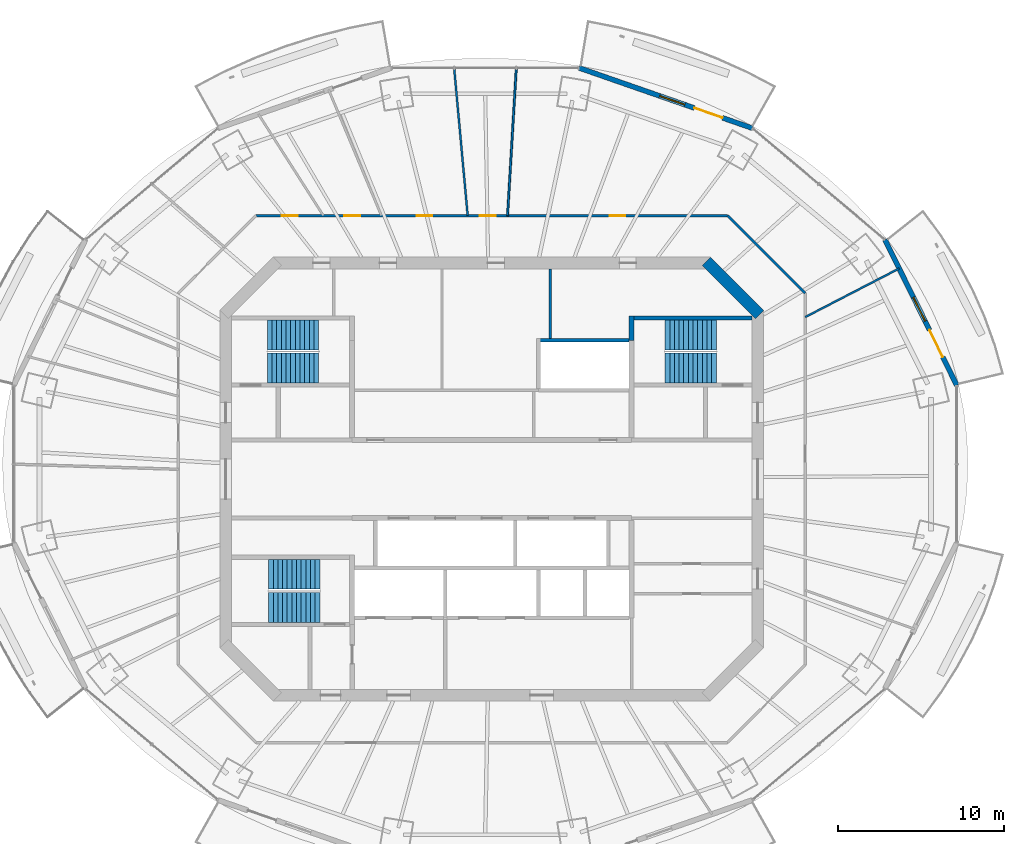
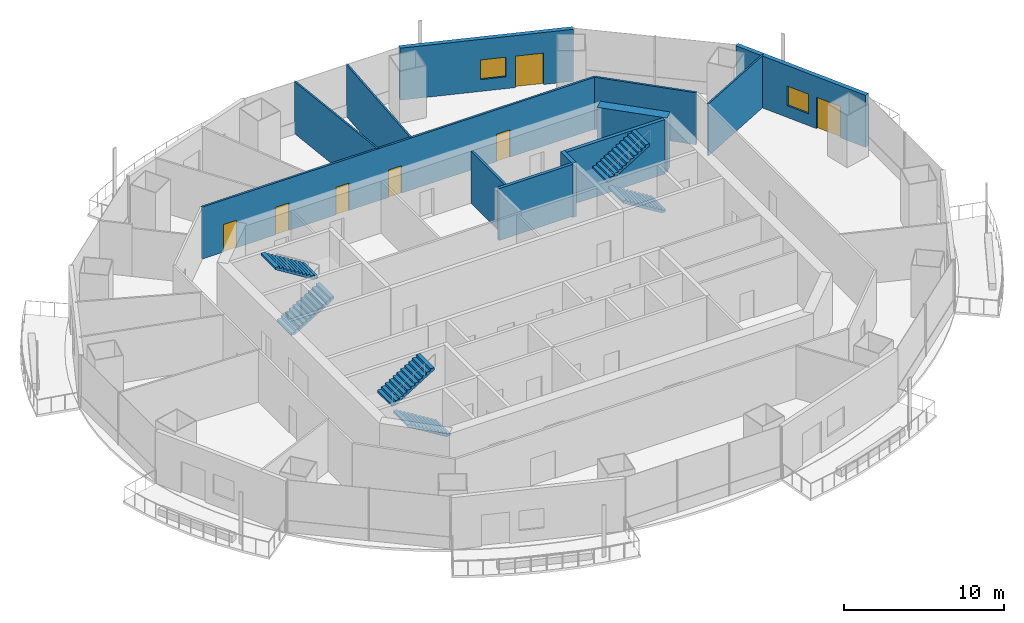
# One storey, part 11 of 16: 12 walls, 7 doors, 6 stair flights, 2 windows, 9 openings, 3 elements without a shape of their own.
"""IFC4 building model written with IfcOpenShell, lengths in metres."""

from ifc_helpers import new_model, si_unit, direction, frame, frame_2d, origin, place, context, subcontext, project, spatial, polyline, rectangle, outline, extrude, material, layer, layer_set, type_object, element, fill, aggregate, save


model = new_model("IFC4")

# Units and contexts
model_context = context("Model", 3, precision=1e-05, world=origin(), true_north=direction((0.0, 1.0)))
body_context = subcontext(model_context, "Body", "Model", "MODEL_VIEW")
ifc_project = project(units=[si_unit("LENGTHUNIT", "METRE"), si_unit("AREAUNIT", "SQUARE_METRE"), si_unit("VOLUMEUNIT", "CUBIC_METRE"), si_unit("PLANEANGLEUNIT", "RADIAN"), si_unit("MASSUNIT", "GRAM", prefix="KILO")], contexts=[model_context])

# Site, building, storey
site_placement = place(None, origin())
site = spatial("IfcSite", under=ifc_project, at=site_placement, CompositionType="ELEMENT")
building_placement = place(site_placement, origin())
building = spatial("IfcBuilding", under=site, at=building_placement, Name="Marenthal Gate Tower", CompositionType="ELEMENT")
storey_placement = place(building_placement, frame((0.0, 0.0, 292.800048828125)))
storey = spatial("IfcBuildingStorey", under=building, at=storey_placement, Name="L65", CompositionType="ELEMENT", Elevation=292.800048828125)

# Walls
ifc_material_1 = material(Name="Concrete 60 MPa", Category="concrete")
ifc_layer_1 = layer(ifc_material_1, 0.699951171875)
ifc_layer_set_1 = layer_set([ifc_layer_1], Name="Core shear wall 700")
wall_type_1 = type_object("IfcWallType", Name="Core shear wall 700", PredefinedType="SHEAR", material=ifc_layer_set_1)
wall_1_placement = place(storey_placement, frame((16.1025390625, 9.8974609375, -0.179931640625), z_axis=(0.0, 0.0, 1.0), x_axis=(-0.707106781187, 0.707106781187, 0.0)))
element("IfcWall", 1, at=wall_1_placement, inside=storey, type_object=wall_type_1, Name="Core wall 03", PredefinedType="SHEAR", context=body_context, shape_type="SweptSolid", body=[
    extrude(rectangle(XDim=4.53271484375, YDim=0.699951171875, at=frame_2d((2.266357421875, 0.0))), origin(), (0.0, 0.0, 1.0), 4.14990234375),
])
ifc_material_2 = material(Name="Concrete 40 MPa", Category="concrete")
ifc_layer_2 = layer(ifc_material_2, 0.219970703125)
ifc_layer_set_2 = layer_set([ifc_layer_2], Name="Hoistway wall 220")
wall_type_2 = type_object("IfcWallType", Name="Hoistway wall 220", PredefinedType="STANDARD", material=ifc_layer_set_2)
wall_2_placement = place(storey_placement, frame((2.909912109375, 8.35009765625, 0.0), z_axis=(0.0, 0.0, 1.0), x_axis=(1.0, 0.0, 0.0)))
element("IfcWall", 2, at=wall_2_placement, inside=storey, type_object=wall_type_2, Name="Hoistway wall 26", PredefinedType="STANDARD", context=body_context, shape_type="SweptSolid", body=[
    extrude(rectangle(XDim=5.340087890625, YDim=0.219970703125, at=frame_2d((2.669921875, 0.0))), origin(), (0.0, 0.0, 1.0), 3.969970703125),
])
ifc_material_3 = material(Name="Gypsum board on steel studs", Category="steel")
ifc_layer_3 = layer(ifc_material_3, 0.1201171875)
ifc_layer_set_3 = layer_set([ifc_layer_3], Name="Partition 120")
wall_type_3 = type_object("IfcWallType", Name="Partition 120", PredefinedType="PARTITIONING", material=ifc_layer_set_3)
wall_3_placement = place(storey_placement, frame((-1.454833984375, 15.85009765625, 0.0), z_axis=(0.0, 0.0, 1.0), x_axis=(-0.091408981172, 0.995813435419, 0.0)))
element("IfcWall", 3, at=wall_3_placement, inside=storey, type_object=wall_type_3, Name="Partition wall 63", PredefinedType="PARTITIONING", context=body_context, shape_type="SweptSolid", body=[
    extrude(rectangle(XDim=8.92333984375, YDim=0.1201171875, at=frame_2d((4.461669921875, 0.0))), origin(), (0.0, 0.0, 1.0), 3.969970703125),
])
wall_4_placement = place(storey_placement, frame((0.942138671875, 15.85009765625, 0.0), z_axis=(0.0, 0.0, 1.0), x_axis=(0.059350641377, 0.998237196947, 0.0)))
element("IfcWall", 4, at=wall_4_placement, inside=storey, type_object=wall_type_3, Name="Partition wall 64", PredefinedType="PARTITIONING", context=body_context, shape_type="SweptSolid", body=[
    extrude(rectangle(XDim=8.901611328125, YDim=0.1201171875, at=frame_2d((4.45068359375, 0.0))), origin(), (0.0, 0.0, 1.0), 3.969970703125),
])
wall_5_placement = place(storey_placement, frame((18.85009765625, 9.74658203125, 0.0), z_axis=(0.0, 0.0, 1.0), x_axis=(0.888271654615, 0.459318481675, 0.0)))
element("IfcWall", 5, at=wall_5_placement, inside=storey, type_object=wall_type_3, Name="Partition wall 70", PredefinedType="PARTITIONING", context=body_context, shape_type="SweptSolid", body=[
    extrude(rectangle(XDim=6.359619140625, YDim=0.1201171875, at=frame_2d((3.1796875, 0.0))), origin(), (0.0, 0.0, 1.0), 3.969970703125),
])
ifc_material_4 = material(Name="Gypsum board on steel studs", Category="steel")
ifc_layer_4 = layer(ifc_material_4, 0.14990234375)
ifc_layer_set_4 = layer_set([ifc_layer_4], Name="Partition 150")
wall_type_4 = type_object("IfcWallType", Name="Partition 150", PredefinedType="PARTITIONING", material=ifc_layer_set_4)
wall_6_placement = place(storey_placement, frame((3.5, 8.4599609375, 0.0), z_axis=(0.0, 0.0, 1.0), x_axis=(0.0, 1.0, 0.0)))
element("IfcWall", 6, at=wall_6_placement, inside=storey, type_object=wall_type_4, Name="Partition wall 44", PredefinedType="PARTITIONING", context=body_context, shape_type="SweptSolid", body=[
    extrude(rectangle(XDim=4.18994140625, YDim=0.14990234375, at=frame_2d((2.094970703125, 0.0))), origin(), (0.0, 0.0, 1.0), 3.969970703125),
])

# Wall, openings, doors
wall_7_placement = place(storey_placement, frame((-14.180419921875, 15.85009765625, 0.0), z_axis=(0.0, 0.0, 1.0), x_axis=(1.0, 0.0, 0.0)))
wall_7 = element("IfcWall", 7, at=wall_7_placement, inside=storey, type_object=wall_type_4, Name="Partition wall 60", PredefinedType="PARTITIONING", context=body_context, shape_type="SweptSolid", body=[
    extrude(rectangle(XDim=28.36083984375, YDim=0.14990234375, at=frame_2d((14.180419921875, 0.0))), origin(), (0.0, 0.0, 1.0), 3.969970703125),
])
opening_1_placement = place(wall_7_placement, frame((21.26708984375, 0.0, 0.0)))
opening_1 = element("IfcOpeningElement", 8, at=opening_1_placement, cuts=wall_7, Name="Opening D016.01", PredefinedType="OPENING", context=body_context, shape_type="SweptSolid", body=[
    extrude(rectangle(XDim=0.949951171875, YDim=2.10009765625, at=frame_2d((0.47509765625, 1.050048828125))), frame((0.0, 0.0849609375, 0.0), z_axis=(0.0, -1.0, 0.0), x_axis=(1.0, 0.0, 0.0)), (0.0, 0.0, 1.0), 0.169921875),
])
opening_2_placement = place(wall_7_placement, frame((13.448974609375, 0.0, 0.0)))
opening_2 = element("IfcOpeningElement", 9, at=opening_2_placement, cuts=wall_7, Name="Opening D016.02", PredefinedType="OPENING", context=body_context, shape_type="SweptSolid", body=[
    extrude(rectangle(XDim=0.949951171875, YDim=2.10009765625, at=frame_2d((0.47509765625, 1.050048828125))), frame((0.0, 0.0849609375, 0.0), z_axis=(0.0, -1.0, 0.0), x_axis=(1.0, 0.0, 0.0)), (0.0, 0.0, 1.0), 0.169921875),
])
opening_3_placement = place(wall_7_placement, frame((9.655029296875, 0.0, 0.0)))
opening_3 = element("IfcOpeningElement", 10, at=opening_3_placement, cuts=wall_7, Name="Opening D016.03", PredefinedType="OPENING", context=body_context, shape_type="SweptSolid", body=[
    extrude(rectangle(XDim=0.949951171875, YDim=2.10009765625, at=frame_2d((0.47509765625, 1.050048828125))), frame((0.0, 0.0849609375, 0.0), z_axis=(0.0, -1.0, 0.0), x_axis=(1.0, 0.0, 0.0)), (0.0, 0.0, 1.0), 0.169921875),
])
opening_4_placement = place(wall_7_placement, frame((5.31494140625, 0.0, 0.0)))
opening_4 = element("IfcOpeningElement", 11, at=opening_4_placement, cuts=wall_7, Name="Opening D016.04", PredefinedType="OPENING", context=body_context, shape_type="SweptSolid", body=[
    extrude(rectangle(XDim=0.949951171875, YDim=2.10009765625, at=frame_2d((0.47509765625, 1.050048828125))), frame((0.0, 0.0849609375, 0.0), z_axis=(0.0, -1.0, 0.0), x_axis=(1.0, 0.0, 0.0)), (0.0, 0.0, 1.0), 0.169921875),
])
opening_5_placement = place(wall_7_placement, frame((1.547119140625, 0.0, 0.0)))
opening_5 = element("IfcOpeningElement", 12, at=opening_5_placement, cuts=wall_7, Name="Opening D016.05", PredefinedType="OPENING", context=body_context, shape_type="SweptSolid", body=[
    extrude(rectangle(XDim=0.949951171875, YDim=2.10009765625, at=frame_2d((0.47509765625, 1.050048828125))), frame((0.0, 0.0849609375, 0.0), z_axis=(0.0, -1.0, 0.0), x_axis=(1.0, 0.0, 0.0)), (0.0, 0.0, 1.0), 0.169921875),
])
ifc_material_5 = material(Name="Timber door", Category="wood")
door_type_1 = type_object("IfcDoorType", Name="Door 950 x 2100", OperationType="NOTDEFINED", PredefinedType="DOOR", material=ifc_material_5)
door_1_placement = place(opening_1_placement, frame((0.949951171875, 0.0, 0.0), z_axis=(0.0, 0.0, 1.0), x_axis=(-1.0, 0.0, 0.0)))
door_1 = element("IfcDoor", 13, at=door_1_placement, inside=storey, type_object=door_type_1, Name="Door D016.01", OperationType="SINGLE_SWING_LEFT", OverallHeight=2.10009765625, OverallWidth=0.949951171875, PredefinedType="DOOR", context=body_context, shape_type="SweptSolid", body=[
    extrude(rectangle(XDim=0.949951171875, YDim=2.10009765625, at=frame_2d((0.47509765625, 1.050048828125))), frame((0.0, 0.02490234375, 0.0), z_axis=(0.0, -1.0, 0.0), x_axis=(1.0, 0.0, 0.0)), (0.0, 0.0, 1.0), 0.050048828125),
])
fill(opening_1, door_1)
door_2_placement = place(opening_2_placement, origin())
door_2 = element("IfcDoor", 14, at=door_2_placement, inside=storey, type_object=door_type_1, Name="Door D016.02", OperationType="SINGLE_SWING_RIGHT", OverallHeight=2.10009765625, OverallWidth=0.949951171875, PredefinedType="DOOR", context=body_context, shape_type="SweptSolid", body=[
    extrude(rectangle(XDim=0.949951171875, YDim=2.10009765625, at=frame_2d((0.47509765625, 1.050048828125))), frame((0.0, 0.02490234375, 0.0), z_axis=(0.0, -1.0, 0.0), x_axis=(1.0, 0.0, 0.0)), (0.0, 0.0, 1.0), 0.050048828125),
])
fill(opening_2, door_2)
door_3_placement = place(opening_3_placement, origin())
door_3 = element("IfcDoor", 15, at=door_3_placement, inside=storey, type_object=door_type_1, Name="Door D016.03", OperationType="SINGLE_SWING_RIGHT", OverallHeight=2.10009765625, OverallWidth=0.949951171875, PredefinedType="DOOR", context=body_context, shape_type="SweptSolid", body=[
    extrude(rectangle(XDim=0.949951171875, YDim=2.10009765625, at=frame_2d((0.47509765625, 1.050048828125))), frame((0.0, 0.02490234375, 0.0), z_axis=(0.0, -1.0, 0.0), x_axis=(1.0, 0.0, 0.0)), (0.0, 0.0, 1.0), 0.050048828125),
])
fill(opening_3, door_3)
door_4_placement = place(opening_4_placement, origin())
door_4 = element("IfcDoor", 16, at=door_4_placement, inside=storey, type_object=door_type_1, Name="Door D016.04", OperationType="SINGLE_SWING_RIGHT", OverallHeight=2.10009765625, OverallWidth=0.949951171875, PredefinedType="DOOR", context=body_context, shape_type="SweptSolid", body=[
    extrude(rectangle(XDim=0.949951171875, YDim=2.10009765625, at=frame_2d((0.47509765625, 1.050048828125))), frame((0.0, 0.02490234375, 0.0), z_axis=(0.0, -1.0, 0.0), x_axis=(1.0, 0.0, 0.0)), (0.0, 0.0, 1.0), 0.050048828125),
])
fill(opening_4, door_4)
door_5_placement = place(opening_5_placement, origin())
door_5 = element("IfcDoor", 17, at=door_5_placement, inside=storey, type_object=door_type_1, Name="Door D016.05", OperationType="SINGLE_SWING_RIGHT", OverallHeight=2.10009765625, OverallWidth=0.949951171875, PredefinedType="DOOR", context=body_context, shape_type="SweptSolid", body=[
    extrude(rectangle(XDim=0.949951171875, YDim=2.10009765625, at=frame_2d((0.47509765625, 1.050048828125))), frame((0.0, 0.02490234375, 0.0), z_axis=(0.0, -1.0, 0.0), x_axis=(1.0, 0.0, 0.0)), (0.0, 0.0, 1.0), 0.050048828125),
])
fill(opening_5, door_5)

# Walls
wall_8_placement = place(storey_placement, frame((14.180419921875, 15.85009765625, 0.0), z_axis=(0.0, 0.0, 1.0), x_axis=(0.707106781187, -0.707106781187, 0.0)))
element("IfcWall", 18, at=wall_8_placement, inside=storey, type_object=wall_type_4, Name="Partition wall 67", PredefinedType="PARTITIONING", context=body_context, shape_type="SweptSolid", body=[
    extrude(rectangle(XDim=6.60400390625, YDim=0.14990234375, at=frame_2d((3.302001953125, 0.0))), origin(), (0.0, 0.0, 1.0), 3.969970703125),
])
ifc_material_6 = material(Name="Concrete 50 MPa", Category="concrete")
ifc_layer_5 = layer(ifc_material_6, 0.25)
ifc_layer_set_5 = layer_set([ifc_layer_5], Name="Stair shear wall 250")
wall_type_5 = type_object("IfcWallType", Name="Stair shear wall 250", PredefinedType="SHEAR", material=ifc_layer_set_5)
wall_9_placement = place(storey_placement, frame((8.550048828125, 9.699951171875, -0.179931640625), z_axis=(0.0, 0.0, 1.0), x_axis=(1.0, 0.0, 0.0)))
element("IfcWall", 19, at=wall_9_placement, inside=storey, type_object=wall_type_5, Name="Stair wall 28", PredefinedType="SHEAR", context=body_context, shape_type="SweptSolid", body=[
    extrude(rectangle(XDim=7.099853515625, YDim=0.25, at=frame_2d((3.5498046875, 0.0))), origin(), (0.0, 0.0, 1.0), 4.14990234375),
])
ifc_material_7 = material(Name="Concrete 50 MPa", Category="concrete")
ifc_layer_6 = layer(ifc_material_7, 0.300048828125)
ifc_layer_set_6 = layer_set([ifc_layer_6], Name="Stair shear wall 300")
wall_type_6 = type_object("IfcWallType", Name="Stair shear wall 300", PredefinedType="SHEAR", material=ifc_layer_set_6)
wall_10_placement = place(storey_placement, frame((8.39990234375, 8.35009765625, -0.179931640625), z_axis=(0.0, 0.0, 1.0), x_axis=(0.0, 1.0, 0.0)))
element("IfcWall", 20, at=wall_10_placement, inside=storey, type_object=wall_type_6, Name="Stair wall 50", PredefinedType="SHEAR", context=body_context, shape_type="SweptSolid", body=[
    extrude(rectangle(XDim=1.474853515625, YDim=0.300048828125, at=frame_2d((0.7373046875, 0.0))), origin(), (0.0, 0.0, 1.0), 4.14990234375),
])

# Wall, openings, door, window
ifc_material_8 = material(Name="Terracotta cladding on insulated concrete-block backing", Category="masonry")
ifc_layer_7 = layer(ifc_material_8, 0.300048828125)
ifc_layer_set_7 = layer_set([ifc_layer_7], Name="Terracotta facade wall 300")
wall_type_7 = type_object("IfcWallType", Name="Terracotta facade wall 300", PredefinedType="SOLIDWALL", material=ifc_layer_set_7)
wall_11_placement = place(storey_placement, frame((27.96240234375, 5.641357421875, 0.0), z_axis=(0.0, 0.0, 1.0), x_axis=(-0.442107110685, 0.8969622638, 0.0)))
wall_11 = element("IfcWall", 21, at=wall_11_placement, inside=storey, type_object=wall_type_7, Name="Terracotta facade wall L65 bay 1", PredefinedType="SOLIDWALL", context=body_context, shape_type="SweptSolid", body=[
    extrude(rectangle(XDim=9.76708984375, YDim=0.300048828125, at=frame_2d((4.883544921875, 0.0))), origin(), (0.0, 0.0, 1.0), 3.969970703125),
])
opening_6_placement = place(wall_11_placement, frame((1.89990234375, 0.0, 0.0)))
opening_6 = element("IfcOpeningElement", 22, at=opening_6_placement, cuts=wall_11, Name="Opening BD-L65-01", PredefinedType="OPENING", context=body_context, shape_type="SweptSolid", body=[
    extrude(rectangle(XDim=1.800048828125, YDim=2.39990234375, at=frame_2d((0.89990234375, 1.199951171875))), frame((0.0, 0.16015625, 0.0), z_axis=(0.0, -1.0, 0.0), x_axis=(1.0, 0.0, 0.0)), (0.0, 0.0, 1.0), 0.320068359375),
])
opening_7_placement = place(wall_11_placement, frame((4.300048828125, 0.0, 0.89990234375)))
opening_7 = element("IfcOpeningElement", 23, at=opening_7_placement, cuts=wall_11, Name="Opening WN3-L65-01", PredefinedType="OPENING", context=body_context, shape_type="SweptSolid", body=[
    extrude(rectangle(XDim=1.60009765625, YDim=1.5, at=frame_2d((0.800048828125, 0.75))), frame((0.0, 0.16015625, 0.0), z_axis=(0.0, -1.0, 0.0), x_axis=(1.0, 0.0, 0.0)), (0.0, 0.0, 1.0), 0.320068359375),
])
ifc_material_9 = material(Name="Aluminium and glass", Category="aluminium")
door_type_2 = type_object("IfcDoorType", Name="Balcony door 1800x2400", OperationType="DOUBLE_DOOR_SINGLE_SWING", PredefinedType="DOOR", material=ifc_material_9)
door_6_placement = place(opening_6_placement, origin())
door_6 = element("IfcDoor", 24, at=door_6_placement, inside=storey, type_object=door_type_2, Name="Balcony door L65 bay 1", OperationType="SINGLE_SWING_LEFT", OverallHeight=2.39990234375, OverallWidth=1.800048828125, PredefinedType="DOOR", context=body_context, shape_type="SweptSolid", body=[
    extrude(rectangle(XDim=1.800048828125, YDim=2.39990234375, at=frame_2d((0.89990234375, 1.199951171875))), frame((0.0, 0.02490234375, 0.0), z_axis=(0.0, -1.0, 0.0), x_axis=(1.0, 0.0, 0.0)), (0.0, 0.0, 1.0), 0.050048828125),
])
fill(opening_6, door_6)
ifc_material_10 = material(Name="Aluminium and glass", Category="aluminium")
window_type = type_object("IfcWindowType", Name="Window 1600x1500", PartitioningType="DOUBLE_PANEL_VERTICAL", PredefinedType="WINDOW", material=ifc_material_10)
window_1_placement = place(opening_7_placement, origin())
window_1 = element("IfcWindow", 25, at=window_1_placement, inside=storey, type_object=window_type, Name="Window L65 bay 1", OverallHeight=1.5, OverallWidth=1.60009765625, PartitioningType="SINGLE_PANEL", PredefinedType="WINDOW", context=body_context, shape_type="SweptSolid", body=[
    extrude(rectangle(XDim=1.60009765625, YDim=1.5, at=frame_2d((0.800048828125, 0.75))), frame((0.0, 0.030029296875, 0.0), z_axis=(0.0, -1.0, 0.0), x_axis=(1.0, 0.0, 0.0)), (0.0, 0.0, 1.0), 0.06005859375),
])
fill(opening_7, window_1)

wall_12_placement = place(storey_placement, frame((15.666015625, 21.107177734375, 0.0), z_axis=(0.0, 0.0, 1.0), x_axis=(-0.94441082719, 0.328767683155, 0.0)))
wall_12 = element("IfcWall", 26, at=wall_12_placement, inside=storey, type_object=wall_type_7, Name="Terracotta facade wall L65 bay 3", PredefinedType="SOLIDWALL", context=body_context, shape_type="SweptSolid", body=[
    extrude(rectangle(XDim=11.037841796875, YDim=0.300048828125, at=frame_2d((5.51904296875, 0.0))), origin(), (0.0, 0.0, 1.0), 3.969970703125),
])
opening_8_placement = place(wall_12_placement, frame((1.89990234375, 0.0, 0.0)))
opening_8 = element("IfcOpeningElement", 27, at=opening_8_placement, cuts=wall_12, Name="Opening BD-L65-03", PredefinedType="OPENING", context=body_context, shape_type="SweptSolid", body=[
    extrude(rectangle(XDim=1.800048828125, YDim=2.39990234375, at=frame_2d((0.89990234375, 1.199951171875))), frame((0.0, 0.16015625, 0.0), z_axis=(0.0, -1.0, 0.0), x_axis=(1.0, 0.0, 0.0)), (0.0, 0.0, 1.0), 0.320068359375),
])
opening_9_placement = place(wall_12_placement, frame((4.300048828125, 0.0, 0.89990234375)))
opening_9 = element("IfcOpeningElement", 28, at=opening_9_placement, cuts=wall_12, Name="Opening WN3-L65-03", PredefinedType="OPENING", context=body_context, shape_type="SweptSolid", body=[
    extrude(rectangle(XDim=1.60009765625, YDim=1.5, at=frame_2d((0.800048828125, 0.75))), frame((0.0, 0.16015625, 0.0), z_axis=(0.0, -1.0, 0.0), x_axis=(1.0, 0.0, 0.0)), (0.0, 0.0, 1.0), 0.320068359375),
])
door_7_placement = place(opening_8_placement, origin())
door_7 = element("IfcDoor", 29, at=door_7_placement, inside=storey, type_object=door_type_2, Name="Balcony door L65 bay 3", OperationType="SINGLE_SWING_LEFT", OverallHeight=2.39990234375, OverallWidth=1.800048828125, PredefinedType="DOOR", context=body_context, shape_type="SweptSolid", body=[
    extrude(rectangle(XDim=1.800048828125, YDim=2.39990234375, at=frame_2d((0.89990234375, 1.199951171875))), frame((0.0, 0.02490234375, 0.0), z_axis=(0.0, -1.0, 0.0), x_axis=(1.0, 0.0, 0.0)), (0.0, 0.0, 1.0), 0.050048828125),
])
fill(opening_8, door_7)
window_2_placement = place(opening_9_placement, origin())
window_2 = element("IfcWindow", 30, at=window_2_placement, inside=storey, type_object=window_type, Name="Window L65 bay 3", OverallHeight=1.5, OverallWidth=1.60009765625, PartitioningType="SINGLE_PANEL", PredefinedType="WINDOW", context=body_context, shape_type="SweptSolid", body=[
    extrude(rectangle(XDim=1.60009765625, YDim=1.5, at=frame_2d((0.800048828125, 0.75))), frame((0.0, 0.030029296875, 0.0), z_axis=(0.0, -1.0, 0.0), x_axis=(1.0, 0.0, 0.0)), (0.0, 0.0, 1.0), 0.06005859375),
])
fill(opening_9, window_2)

# Stair, stair flights
ifc_material_11 = material(Name="Concrete 40 MPa", Category="concrete")
stair_type = type_object("IfcStairType", Name="Exit stair 1800", PredefinedType="HALF_TURN_STAIR", material=ifc_material_11)
stair_1_placement = place(storey_placement, origin())
stair_1 = element("IfcStair", 31, at=stair_1_placement, inside=storey, type_object=stair_type, Name="Stair ST1", PredefinedType="HALF_TURN_STAIR")
ifc_material_12 = material(Name="Concrete 40 MPa", Category="concrete")
stair_flight_type = type_object("IfcStairFlightType", Name="Stair flight 1800", PredefinedType="STRAIGHT", material=ifc_material_12)
stair_flight_1_placement = place(storey_placement, frame((-13.5, 6.675048828125, 0.0), z_axis=(0.0, 0.0, 1.0), x_axis=(1.0, 0.0, 0.0)))
stair_flight_1 = element("IfcStairFlight", 32, at=stair_flight_1_placement, type_object=stair_flight_type, Name="ST1 flight 1", NumberOfRisers=12, NumberOfTreads=11, PredefinedType="STRAIGHT", RiserHeight=0.172916667, TreadLength=0.28, context=body_context, shape_type="SweptSolid", body=[
    extrude(outline(polyline([(0.0, 0.0), (0.0, 0.1728515625), (0.280029296875, 0.1728515625), (0.280029296875, 0.345947265625), (0.56005859375, 0.345947265625), (0.56005859375, 0.518798828125), (0.840087890625, 0.518798828125), (0.840087890625, 0.691650390625), (1.1201171875, 0.691650390625), (1.1201171875, 0.864501953125), (1.39990234375, 0.864501953125), (1.39990234375, 1.03759765625), (1.679931640625, 1.03759765625), (1.679931640625, 1.21044921875), (1.9599609375, 1.21044921875), (1.9599609375, 1.38330078125), (2.239990234375, 1.38330078125), (2.239990234375, 1.55615234375), (2.52001953125, 1.55615234375), (2.52001953125, 1.729248046875), (2.800048828125, 1.729248046875), (2.800048828125, 1.902099609375), (3.080078125, 1.902099609375), (3.080078125, 2.074951171875), (3.080078125, 1.725830078125), (0.285400390625, 0.0), (0.0, 0.0)])), frame((0.0, 0.89990234375, 0.0), z_axis=(0.0, -1.0, 0.0), x_axis=(1.0, 0.0, 0.0)), (0.0, 0.0, 1.0), 1.800048828125),
])
stair_flight_2_placement = place(storey_placement, frame((-10.419921875, 8.675048828125, 2.074951171875), z_axis=(0.0, 0.0, 1.0), x_axis=(-1.0, 0.0, 0.0)))
stair_flight_2 = element("IfcStairFlight", 33, at=stair_flight_2_placement, type_object=stair_flight_type, Name="ST1 flight 2", NumberOfRisers=12, NumberOfTreads=11, PredefinedType="STRAIGHT", RiserHeight=0.172916667, TreadLength=0.28, context=body_context, shape_type="SweptSolid", body=[
    extrude(outline(polyline([(0.0, 0.0), (0.0, 0.1728515625), (0.280029296875, 0.1728515625), (0.280029296875, 0.345947265625), (0.56005859375, 0.345947265625), (0.56005859375, 0.518798828125), (0.840087890625, 0.518798828125), (0.840087890625, 0.691650390625), (1.1201171875, 0.691650390625), (1.1201171875, 0.864501953125), (1.39990234375, 0.864501953125), (1.39990234375, 1.03759765625), (1.679931640625, 1.03759765625), (1.679931640625, 1.21044921875), (1.9599609375, 1.21044921875), (1.9599609375, 1.38330078125), (2.239990234375, 1.38330078125), (2.239990234375, 1.55615234375), (2.52001953125, 1.55615234375), (2.52001953125, 1.729248046875), (2.800048828125, 1.729248046875), (2.800048828125, 1.902099609375), (3.080078125, 1.902099609375), (3.080078125, 2.074951171875), (3.080078125, 1.725830078125), (0.285400390625, 0.0), (0.0, 0.0)])), frame((0.0, 0.89990234375, 0.0), z_axis=(0.0, -1.0, 0.0), x_axis=(1.0, 0.0, 0.0)), (0.0, 0.0, 1.0), 1.800048828125),
])
aggregate(stair_1, [stair_flight_1, stair_flight_2])

stair_2_placement = place(storey_placement, origin())
stair_2 = element("IfcStair", 34, at=stair_2_placement, inside=storey, type_object=stair_type, Name="Stair ST2", PredefinedType="HALF_TURN_STAIR")
stair_flight_3_placement = place(storey_placement, frame((-10.35009765625, -7.72509765625, 0.0), z_axis=(0.0, 0.0, 1.0), x_axis=(-1.0, 0.0, 0.0)))
stair_flight_3 = element("IfcStairFlight", 35, at=stair_flight_3_placement, type_object=stair_flight_type, Name="ST2 flight 1", NumberOfRisers=12, NumberOfTreads=11, PredefinedType="STRAIGHT", RiserHeight=0.172916667, TreadLength=0.28, context=body_context, shape_type="SweptSolid", body=[
    extrude(outline(polyline([(0.0, 0.0), (0.0, 0.1728515625), (0.280029296875, 0.1728515625), (0.280029296875, 0.345947265625), (0.56005859375, 0.345947265625), (0.56005859375, 0.518798828125), (0.840087890625, 0.518798828125), (0.840087890625, 0.691650390625), (1.1201171875, 0.691650390625), (1.1201171875, 0.864501953125), (1.39990234375, 0.864501953125), (1.39990234375, 1.03759765625), (1.679931640625, 1.03759765625), (1.679931640625, 1.21044921875), (1.9599609375, 1.21044921875), (1.9599609375, 1.38330078125), (2.239990234375, 1.38330078125), (2.239990234375, 1.55615234375), (2.52001953125, 1.55615234375), (2.52001953125, 1.729248046875), (2.800048828125, 1.729248046875), (2.800048828125, 1.902099609375), (3.080078125, 1.902099609375), (3.080078125, 2.074951171875), (3.080078125, 1.725830078125), (0.285400390625, 0.0), (0.0, 0.0)])), frame((0.0, 0.89990234375, 0.0), z_axis=(0.0, -1.0, 0.0), x_axis=(1.0, 0.0, 0.0)), (0.0, 0.0, 1.0), 1.800048828125),
])
stair_flight_4_placement = place(storey_placement, frame((-13.429931640625, -5.72509765625, 2.074951171875), z_axis=(0.0, 0.0, 1.0), x_axis=(1.0, 0.0, 0.0)))
stair_flight_4 = element("IfcStairFlight", 36, at=stair_flight_4_placement, type_object=stair_flight_type, Name="ST2 flight 2", NumberOfRisers=12, NumberOfTreads=11, PredefinedType="STRAIGHT", RiserHeight=0.172916667, TreadLength=0.28, context=body_context, shape_type="SweptSolid", body=[
    extrude(outline(polyline([(0.0, 0.0), (0.0, 0.1728515625), (0.280029296875, 0.1728515625), (0.280029296875, 0.345947265625), (0.56005859375, 0.345947265625), (0.56005859375, 0.518798828125), (0.840087890625, 0.518798828125), (0.840087890625, 0.691650390625), (1.1201171875, 0.691650390625), (1.1201171875, 0.864501953125), (1.39990234375, 0.864501953125), (1.39990234375, 1.03759765625), (1.679931640625, 1.03759765625), (1.679931640625, 1.21044921875), (1.9599609375, 1.21044921875), (1.9599609375, 1.38330078125), (2.239990234375, 1.38330078125), (2.239990234375, 1.55615234375), (2.52001953125, 1.55615234375), (2.52001953125, 1.729248046875), (2.800048828125, 1.729248046875), (2.800048828125, 1.902099609375), (3.080078125, 1.902099609375), (3.080078125, 2.074951171875), (3.080078125, 1.725830078125), (0.285400390625, 0.0), (0.0, 0.0)])), frame((0.0, 0.89990234375, 0.0), z_axis=(0.0, -1.0, 0.0), x_axis=(1.0, 0.0, 0.0)), (0.0, 0.0, 1.0), 1.800048828125),
])
aggregate(stair_2, [stair_flight_3, stair_flight_4])

stair_3_placement = place(storey_placement, origin())
stair_3 = element("IfcStair", 37, at=stair_3_placement, inside=storey, type_object=stair_type, Name="Stair ST3", PredefinedType="HALF_TURN_STAIR")
stair_flight_5_placement = place(storey_placement, frame((13.5, 6.675048828125, 0.0), z_axis=(0.0, 0.0, 1.0), x_axis=(-1.0, 0.0, 0.0)))
stair_flight_5 = element("IfcStairFlight", 38, at=stair_flight_5_placement, type_object=stair_flight_type, Name="ST3 flight 1", NumberOfRisers=12, NumberOfTreads=11, PredefinedType="STRAIGHT", RiserHeight=0.172916667, TreadLength=0.28, context=body_context, shape_type="SweptSolid", body=[
    extrude(outline(polyline([(0.0, 0.0), (0.0, 0.1728515625), (0.280029296875, 0.1728515625), (0.280029296875, 0.345947265625), (0.56005859375, 0.345947265625), (0.56005859375, 0.518798828125), (0.840087890625, 0.518798828125), (0.840087890625, 0.691650390625), (1.1201171875, 0.691650390625), (1.1201171875, 0.864501953125), (1.39990234375, 0.864501953125), (1.39990234375, 1.03759765625), (1.679931640625, 1.03759765625), (1.679931640625, 1.21044921875), (1.9599609375, 1.21044921875), (1.9599609375, 1.38330078125), (2.239990234375, 1.38330078125), (2.239990234375, 1.55615234375), (2.52001953125, 1.55615234375), (2.52001953125, 1.729248046875), (2.800048828125, 1.729248046875), (2.800048828125, 1.902099609375), (3.080078125, 1.902099609375), (3.080078125, 2.074951171875), (3.080078125, 1.725830078125), (0.285400390625, 0.0), (0.0, 0.0)])), frame((0.0, 0.89990234375, 0.0), z_axis=(0.0, -1.0, 0.0), x_axis=(1.0, 0.0, 0.0)), (0.0, 0.0, 1.0), 1.800048828125),
])
stair_flight_6_placement = place(storey_placement, frame((10.419921875, 8.675048828125, 2.074951171875), z_axis=(0.0, 0.0, 1.0), x_axis=(1.0, 0.0, 0.0)))
stair_flight_6 = element("IfcStairFlight", 39, at=stair_flight_6_placement, type_object=stair_flight_type, Name="ST3 flight 2", NumberOfRisers=12, NumberOfTreads=11, PredefinedType="STRAIGHT", RiserHeight=0.172916667, TreadLength=0.28, context=body_context, shape_type="SweptSolid", body=[
    extrude(outline(polyline([(0.0, 0.0), (0.0, 0.1728515625), (0.280029296875, 0.1728515625), (0.280029296875, 0.345947265625), (0.56005859375, 0.345947265625), (0.56005859375, 0.518798828125), (0.840087890625, 0.518798828125), (0.840087890625, 0.691650390625), (1.1201171875, 0.691650390625), (1.1201171875, 0.864501953125), (1.39990234375, 0.864501953125), (1.39990234375, 1.03759765625), (1.679931640625, 1.03759765625), (1.679931640625, 1.21044921875), (1.9599609375, 1.21044921875), (1.9599609375, 1.38330078125), (2.239990234375, 1.38330078125), (2.239990234375, 1.55615234375), (2.52001953125, 1.55615234375), (2.52001953125, 1.729248046875), (2.800048828125, 1.729248046875), (2.800048828125, 1.902099609375), (3.080078125, 1.902099609375), (3.080078125, 2.074951171875), (3.080078125, 1.725830078125), (0.285400390625, 0.0), (0.0, 0.0)])), frame((0.0, 0.89990234375, 0.0), z_axis=(0.0, -1.0, 0.0), x_axis=(1.0, 0.0, 0.0)), (0.0, 0.0, 1.0), 1.800048828125),
])
aggregate(stair_3, [stair_flight_5, stair_flight_6])

save(model, "model.ifc")
